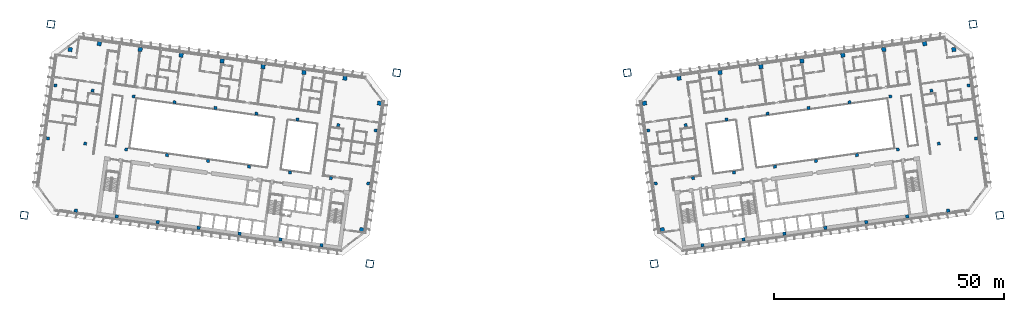
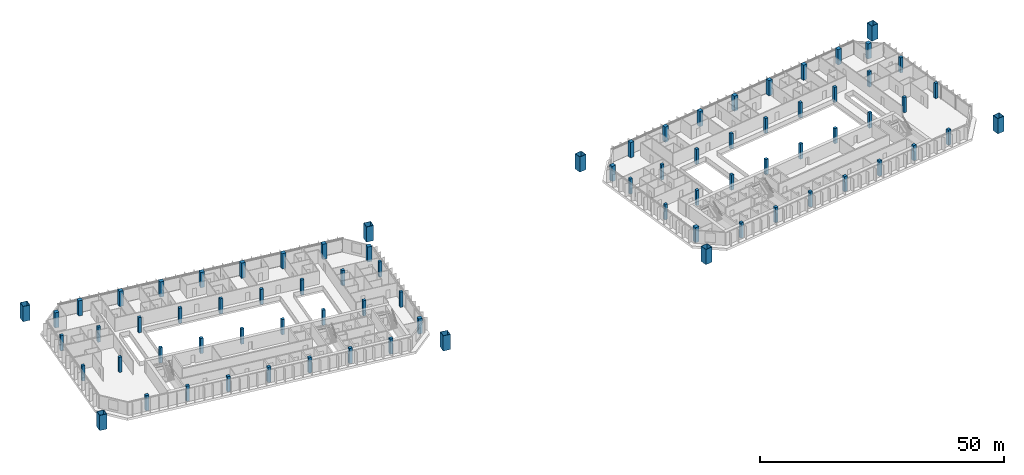
# One storey, part 1 of 27: 78 columns.
"""IFC4 building model written with IfcOpenShell, lengths in metres."""

import ifcopenshell
import ifcopenshell.guid

model = None  # the IFC model being written
_history = None  # IfcOwnerHistory: only IFC2X3 demands one
_inside = {}  # id of a spatial element -> (the spatial element, [elements in it])
_under = {}  # id of a project, library or spatial element -> (it, [spatial elements below it])
_declared = {}  # id of a project -> (the project, [libraries it declares])
_typed = {}  # id of a type object -> (the type object, [elements of that type])
_made_of = {}  # id of a material, layer set ... -> (it, [elements and type objects made of it])


def new_model(schema):
    """Start an empty IFC model of exactly this schema.

    Asked for "IFC4X3", IfcOpenShell would pick the latest addendum, in which some entities
    have other attributes; the version numbers below select the first issue.
    IFC2X3 requires an IfcOwnerHistory on every rooted entity: one is made here for all.
    """
    global model, _history
    if schema == "IFC4X3":
        model = ifcopenshell.file(schema_version=(4, 3, 0, 0))
    else:
        model = ifcopenshell.file(schema=schema)
    _inside.clear()
    _under.clear()
    _declared.clear()
    _typed.clear()
    _made_of.clear()
    _history = None
    if model.schema == "IFC2X3":
        org = make("IfcOrganization", Name="unknown")
        user = make(
            "IfcPersonAndOrganization",
            ThePerson=make("IfcPerson", FamilyName="unknown"),
            TheOrganization=org,
        )
        app = make(
            "IfcApplication",
            ApplicationDeveloper=org,
            Version="unknown",
            ApplicationFullName="unknown",
            ApplicationIdentifier="unknown",
        )
        _history = make(
            "IfcOwnerHistory",
            OwningUser=user,
            OwningApplication=app,
            ChangeAction="ADDED",
            CreationDate=0,
        )
    return model


def make(cls, **values):
    """One entity of the class cls with the attributes given. An attribute that is None is left unset."""
    return model.create_entity(
        cls, **{name: value for name, value in values.items() if value is not None}
    )


def rooted(cls, **values):
    """An entity with a GlobalId (a new one), such as an element, a storey or a relation."""
    return make(cls, GlobalId=ifcopenshell.guid.new(), OwnerHistory=_history, **values)


def si_unit(unit_type, name, prefix=None):
    """IfcSIUnit, for example si_unit("LENGTHUNIT", "METRE", prefix="MILLI")."""
    return make("IfcSIUnit", UnitType=unit_type, Prefix=prefix, Name=name)


def assignment(units):
    """IfcUnitAssignment: the units of a project."""
    return None if units is None else make("IfcUnitAssignment", Units=units)


def point(xyz):
    """IfcCartesianPoint."""
    return None if xyz is None else make("IfcCartesianPoint", Coordinates=xyz)


def direction(xyz):
    """IfcDirection."""
    return None if xyz is None else make("IfcDirection", DirectionRatios=xyz)


def frame(location, z_axis=None, x_axis=None):
    """IfcAxis2Placement3D, a coordinate frame: its origin and axes. An axis left out is left unset."""
    return make(
        "IfcAxis2Placement3D",
        Location=point(location),
        Axis=direction(z_axis),
        RefDirection=direction(x_axis),
    )


def frame_2d(location, x_axis=None):
    """IfcAxis2Placement2D, a coordinate frame in the plane: its origin and x axis."""
    return make(
        "IfcAxis2Placement2D", Location=point(location), RefDirection=direction(x_axis)
    )


def origin():
    """The frame at (0, 0, 0) with its axes left unset."""
    return frame((0.0, 0.0, 0.0))


def origin_2d():
    """The frame at (0, 0) in the plane with its x axis left unset."""
    return frame_2d((0.0, 0.0))


def place(relative_to, where):
    """IfcLocalPlacement: puts the frame where relative to a parent placement (None: the world)."""
    return make(
        "IfcLocalPlacement", PlacementRelTo=relative_to, RelativePlacement=where
    )


def context(
    kind, dimensions, precision=None, world=None, true_north=None, identifier=None
):
    """IfcGeometricRepresentationContext, for example the 3D "Model" context."""
    return make(
        "IfcGeometricRepresentationContext",
        ContextIdentifier=identifier,
        ContextType=kind,
        CoordinateSpaceDimension=dimensions,
        Precision=precision,
        WorldCoordinateSystem=world,
        TrueNorth=true_north,
    )


def subcontext(parent, identifier, kind, view, scale=None):
    """IfcGeometricRepresentationSubContext, for example "Body" below "Model"."""
    return make(
        "IfcGeometricRepresentationSubContext",
        ContextIdentifier=identifier,
        ContextType=kind,
        ParentContext=parent,
        TargetScale=scale,
        TargetView=view,
    )


def project(units=None, contexts=None):
    """IfcProject with its units and contexts."""
    return rooted(
        "IfcProject",
        Name="project",
        RepresentationContexts=contexts,
        UnitsInContext=assignment(units),
    )


def spatial(cls, under=None, at=None, **own):
    """A site, building, storey or space (cls), placed at a placement, below another one or the project."""
    s = rooted(cls, ObjectPlacement=at, **own)
    if under is not None:
        _under.setdefault(under.id(), (under, []))[1].append(s)
    return s


def profile(cls, at=None, kind="AREA", **sizes):
    """A parametric profile (cls). Its sizes go by their IFC names, for example OverallWidth=200.0."""
    return make(cls, ProfileType=kind, Position=at, **sizes)


def rectangle(**sizes):
    """IfcRectangleProfileDef."""
    return profile("IfcRectangleProfileDef", **sizes)


def hollow_rectangle(**sizes):
    """IfcRectangleHollowProfileDef."""
    return profile("IfcRectangleHollowProfileDef", **sizes)


def extrude(swept, where, along, depth):
    """IfcExtrudedAreaSolid: the profile swept, set in the frame where, extruded along a direction by depth."""
    return make(
        "IfcExtrudedAreaSolid",
        SweptArea=swept,
        Position=where,
        ExtrudedDirection=direction(along),
        Depth=depth,
    )


def shape(context_of_items, identifier, shape_type, items):
    """IfcShapeRepresentation: the items that make up one representation, for example the "Body"."""
    return make(
        "IfcShapeRepresentation",
        ContextOfItems=context_of_items,
        RepresentationIdentifier=identifier,
        RepresentationType=shape_type,
        Items=items,
    )


def material(Name=None, Category=None):
    """IfcMaterial."""
    return make("IfcMaterial", Name=Name, Category=Category)


def material_profile(
    of_material, cross_section, Name=None, Category=None, Priority=None
):
    """IfcMaterialProfile: a cross section and its material."""
    return make(
        "IfcMaterialProfile",
        Name=Name,
        Material=of_material,
        Profile=cross_section,
        Priority=Priority,
        Category=Category,
    )


def profile_set(profiles, Name=None, composite=None):
    """IfcMaterialProfileSet."""
    return make(
        "IfcMaterialProfileSet",
        Name=Name,
        MaterialProfiles=profiles,
        CompositeProfile=composite,
    )


def made_of(thing, what):
    """Note that an element or type object is made of a material, layer set ...; save() writes the relation."""
    if what is not None:
        _made_of.setdefault(what.id(), (what, []))[1].append(thing)
    return thing


def type_object(cls, material=None, **own):
    """A type object (cls), such as IfcWallType, which elements share."""
    return made_of(rooted(cls, **own), material)


def element(
    cls,
    number,
    at=None,
    inside=None,
    cuts=None,
    type_object=None,
    material=None,
    context=None,
    identifier="Body",
    shape_type=None,
    held_by="IfcProductDefinitionShape",
    body=None,
    shapes=None,
    **own,
):
    """One element of the class cls, such as IfcWall. Its Tag is "e" and its number.

    at: its placement. inside: the storey or other place that contains it. cuts: it is an
    opening in that element (IfcRelVoidsElement). A single representation is given by context,
    identifier, shape_type and body (its items); several are given by shapes. held_by: the class
    of the entity that holds the representations. save() writes the other relations.
    """
    e = rooted(cls, Tag="e%d" % number, ObjectPlacement=at, **own)
    if body is not None:
        shapes = [shape(context, identifier, shape_type, body)]
    if shapes is not None:
        e.Representation = make(held_by, Representations=shapes)
    if inside is not None:
        _inside.setdefault(inside.id(), (inside, []))[1].append(e)
    if cuts is not None:
        rooted(
            "IfcRelVoidsElement", RelatingBuildingElement=cuts, RelatedOpeningElement=e
        )
    if type_object is not None:
        _typed.setdefault(type_object.id(), (type_object, []))[1].append(e)
    return made_of(e, material)


def aggregate(whole, parts):
    """IfcRelAggregates: a whole, such as a stair, and the parts it consists of."""
    return rooted("IfcRelAggregates", RelatingObject=whole, RelatedObjects=parts)


def save(model, path):
    """Write the relations noted so far, then the file.

    IfcRelAggregates (storeys below a building ...), IfcRelContainedInSpatialStructure (elements
    in a storey), IfcRelDefinesByType, IfcRelAssociatesMaterial and IfcRelDeclares: one each for
    every whole, place, type object, material and project.
    """
    for whole, parts in _under.values():
        aggregate(whole, parts)
    for where, things in _inside.values():
        rooted(
            "IfcRelContainedInSpatialStructure",
            RelatedElements=things,
            RelatingStructure=where,
        )
    for kind, things in _typed.values():
        rooted("IfcRelDefinesByType", RelatedObjects=things, RelatingType=kind)
    for what, things in _made_of.values():
        rooted("IfcRelAssociatesMaterial", RelatedObjects=things, RelatingMaterial=what)
    for by, libraries in _declared.values():
        rooted("IfcRelDeclares", RelatingContext=by, RelatedDefinitions=libraries)
    model.write(path)


model = new_model("IFC4")

# Units and contexts
model_context = context("Model", 3, precision=1e-05, world=origin(), true_north=direction((0.0, 1.0)))
body_context = subcontext(model_context, "Body", "Model", "MODEL_VIEW")
ifc_project = project(units=[si_unit("LENGTHUNIT", "METRE"), si_unit("AREAUNIT", "SQUARE_METRE"), si_unit("VOLUMEUNIT", "CUBIC_METRE"), si_unit("PLANEANGLEUNIT", "RADIAN"), si_unit("MASSUNIT", "GRAM", prefix="KILO")], contexts=[model_context])

# Site, building, storey
site_placement = place(None, origin())
site = spatial("IfcSite", under=ifc_project, at=site_placement, CompositionType="ELEMENT")
building_placement = place(site_placement, origin())
building = spatial("IfcBuilding", under=site, at=building_placement, Name="Mirante Cascada Hotel Towers", CompositionType="ELEMENT")
storey_placement = place(building_placement, frame((0.0, 0.0, 117.7)))
storey = spatial("IfcBuildingStorey", under=building, at=storey_placement, Name="L26", CompositionType="ELEMENT", Elevation=117.7)

# Columns
ifc_material_1 = material(Name="Steel ASTM A572 Gr 50", Category="steel")
ifc_material_profile_1 = material_profile(ifc_material_1, hollow_rectangle(XDim=1.6, YDim=1.6, WallThickness=0.07, at=origin_2d()), Name="Box column 1600x1600x70 ASTM A572 Gr 50")
ifc_profile_set_1 = profile_set([ifc_material_profile_1], Name="Steel ASTM A572 Gr 50")
column_type_1 = type_object("IfcColumnType", Name="Box column 1600x1600x70 ASTM A572 Gr 50", PredefinedType="COLUMN", material=ifc_profile_set_1)
for number, where, z_axis, x_axis, name in (
    (1, (-25.0968, 18.5173, 0.0), (0.0, 0.0, 1.0), (-0.9902681, 0.1391731, 0.0), "Mega column MC1 T1 L26"),
    (2, (-30.9421, -23.074, 0.0), (0.0, 0.0, 1.0), (-0.9902681, 0.1391731, 0.0), "Mega column MC2 T1 L26"),
    (3, (-100.3572, 29.0944, 0.0), (0.0, 0.0, 1.0), (-0.9902681, 0.1391731, 0.0), "Mega column MC3 T1 L26"),
    (4, (-106.2025, -12.4968, 0.0), (0.0, 0.0, 1.0), (-0.9902681, 0.1391731, 0.0), "Mega column MC4 T1 L26"),
    (5, (25.0968, 18.5173, 0.0), (0.0, 0.0, 1.0), (0.9902681, 0.1391731, 0.0), "Mega column MC1 T2 L26"),
    (6, (30.9421, -23.074, 0.0), (0.0, 0.0, 1.0), (0.9902681, 0.1391731, 0.0), "Mega column MC2 T2 L26"),
    (7, (100.3572, 29.0944, 0.0), (0.0, 0.0, 1.0), (0.9902681, 0.1391731, 0.0), "Mega column MC3 T2 L26"),
    (8, (106.2025, -12.4968, 0.0), (0.0, 0.0, 1.0), (0.9902681, 0.1391731, 0.0), "Mega column MC4 T2 L26"),
):
    element("IfcColumn", number, at=place(storey_placement, frame(where, z_axis=z_axis, x_axis=x_axis)), inside=storey, type_object=column_type_1, Name=name, PredefinedType="COLUMN", context=body_context, shape_type="SweptSolid", body=[
        extrude(hollow_rectangle(XDim=1.6, YDim=1.6, WallThickness=0.07, at=origin_2d()), origin(), (0.0, 0.0, 1.0), 3.8),
    ])
ifc_material_2 = material(Name="Concrete C60/75", Category="concrete")
ifc_material_profile_2 = material_profile(ifc_material_2, rectangle(XDim=0.65, YDim=0.65, at=origin_2d()), Name="RC column 650x650 C60/75")
ifc_profile_set_2 = profile_set([ifc_material_profile_2], Name="Concrete C60/75")
column_type_2 = type_object("IfcColumnType", Name="RC column 650x650 C60/75", PredefinedType="COLUMN", material=ifc_profile_set_2)
for number, where, z_axis, x_axis, name in (
    (9, (-29.6893, 5.9592, 0.0), (0.0, 0.0, 1.0), (-0.9902681, 0.1391731, 0.0), "Column T1 L26 2"),
    (10, (-31.3106, -5.5774, 0.0), (0.0, 0.0, 1.0), (-0.9902681, 0.1391731, 0.0), "Column T1 L26 3"),
    (11, (-37.8095, 7.1004, 0.0), (0.0, 0.0, 1.0), (-0.9902681, 0.1391731, 0.0), "Column T1 L26 6"),
    (12, (-39.4308, -4.4362, 0.0), (0.0, 0.0, 1.0), (-0.9902681, 0.1391731, 0.0), "Column T1 L26 7"),
    (13, (-46.7219, 8.353, 0.0), (0.0, 0.0, 1.0), (-0.9902681, 0.1391731, 0.0), "Column T1 L26 10"),
    (14, (-48.3432, -3.1836, 0.0), (0.0, 0.0, 1.0), (-0.9902681, 0.1391731, 0.0), "Column T1 L26 11"),
    (15, (-55.6343, 9.6055, 0.0), (0.0, 0.0, 1.0), (-0.9902681, 0.1391731, 0.0), "Column T1 L26 14"),
    (16, (-57.2557, -1.9311, 0.0), (0.0, 0.0, 1.0), (-0.9902681, 0.1391731, 0.0), "Column T1 L26 15"),
    (17, (-64.5467, 10.8581, 0.0), (0.0, 0.0, 1.0), (-0.9902681, 0.1391731, 0.0), "Column T1 L26 18"),
    (18, (-66.1681, -0.6785, 0.0), (0.0, 0.0, 1.0), (-0.9902681, 0.1391731, 0.0), "Column T1 L26 19"),
    (19, (-73.4591, 12.1107, 0.0), (0.0, 0.0, 1.0), (-0.9902681, 0.1391731, 0.0), "Column T1 L26 22"),
    (20, (-75.0805, 0.574, 0.0), (0.0, 0.0, 1.0), (-0.9902681, 0.1391731, 0.0), "Column T1 L26 23"),
    (21, (-82.3715, 13.3632, 0.0), (0.0, 0.0, 1.0), (-0.9902681, 0.1391731, 0.0), "Column T1 L26 26"),
    (22, (-83.9929, 1.8266, 0.0), (0.0, 0.0, 1.0), (-0.9902681, 0.1391731, 0.0), "Column T1 L26 27"),
    (23, (-91.2839, 14.6158, 0.0), (0.0, 0.0, 1.0), (-0.9902681, 0.1391731, 0.0), "Column T1 L26 30"),
    (24, (-92.9053, 3.0792, 0.0), (0.0, 0.0, 1.0), (-0.9902681, 0.1391731, 0.0), "Column T1 L26 31"),
    (25, (-99.4041, 15.757, 0.0), (0.0, 0.0, 1.0), (-0.9902681, 0.1391731, 0.0), "Column T1 L26 34"),
    (26, (-101.0255, 4.2204, 0.0), (0.0, 0.0, 1.0), (-0.9902681, 0.1391731, 0.0), "Column T1 L26 35"),
    (27, (29.6893, 5.9592, 0.0), (0.0, 0.0, 1.0), (0.9902681, 0.1391731, 0.0), "Column T2 L26 2"),
    (28, (31.3106, -5.5774, 0.0), (0.0, 0.0, 1.0), (0.9902681, 0.1391731, 0.0), "Column T2 L26 3"),
    (29, (37.8095, 7.1004, 0.0), (0.0, 0.0, 1.0), (0.9902681, 0.1391731, 0.0), "Column T2 L26 6"),
    (30, (39.4308, -4.4362, 0.0), (0.0, 0.0, 1.0), (0.9902681, 0.1391731, 0.0), "Column T2 L26 7"),
    (31, (46.7219, 8.353, 0.0), (0.0, 0.0, 1.0), (0.9902681, 0.1391731, 0.0), "Column T2 L26 10"),
    (32, (48.3432, -3.1836, 0.0), (0.0, 0.0, 1.0), (0.9902681, 0.1391731, 0.0), "Column T2 L26 11"),
    (33, (55.6343, 9.6055, 0.0), (0.0, 0.0, 1.0), (0.9902681, 0.1391731, 0.0), "Column T2 L26 14"),
    (34, (57.2557, -1.9311, 0.0), (0.0, 0.0, 1.0), (0.9902681, 0.1391731, 0.0), "Column T2 L26 15"),
    (35, (64.5467, 10.8581, 0.0), (0.0, 0.0, 1.0), (0.9902681, 0.1391731, 0.0), "Column T2 L26 18"),
    (36, (66.1681, -0.6785, 0.0), (0.0, 0.0, 1.0), (0.9902681, 0.1391731, 0.0), "Column T2 L26 19"),
    (37, (73.4591, 12.1107, 0.0), (0.0, 0.0, 1.0), (0.9902681, 0.1391731, 0.0), "Column T2 L26 22"),
    (38, (75.0805, 0.574, 0.0), (0.0, 0.0, 1.0), (0.9902681, 0.1391731, 0.0), "Column T2 L26 23"),
    (39, (82.3715, 13.3632, 0.0), (0.0, 0.0, 1.0), (0.9902681, 0.1391731, 0.0), "Column T2 L26 26"),
    (40, (83.9929, 1.8266, 0.0), (0.0, 0.0, 1.0), (0.9902681, 0.1391731, 0.0), "Column T2 L26 27"),
    (41, (91.2839, 14.6158, 0.0), (0.0, 0.0, 1.0), (0.9902681, 0.1391731, 0.0), "Column T2 L26 30"),
    (42, (92.9053, 3.0792, 0.0), (0.0, 0.0, 1.0), (0.9902681, 0.1391731, 0.0), "Column T2 L26 31"),
    (43, (99.4041, 15.757, 0.0), (0.0, 0.0, 1.0), (0.9902681, 0.1391731, 0.0), "Column T2 L26 34"),
    (44, (101.0255, 4.2204, 0.0), (0.0, 0.0, 1.0), (0.9902681, 0.1391731, 0.0), "Column T2 L26 35"),
):
    element("IfcColumn", number, at=place(storey_placement, frame(where, z_axis=z_axis, x_axis=x_axis)), inside=storey, type_object=column_type_2, Name=name, PredefinedType="COLUMN", context=body_context, shape_type="SweptSolid", body=[
        extrude(rectangle(XDim=0.65, YDim=0.65, at=origin_2d()), origin(), (0.0, 0.0, 1.0), 3.8),
    ])
ifc_material_3 = material(Name="Concrete C60/75", Category="concrete")
ifc_material_profile_3 = material_profile(ifc_material_3, rectangle(XDim=0.7, YDim=0.7, at=origin_2d()), Name="RC column 700x700 C60/75")
ifc_profile_set_3 = profile_set([ifc_material_profile_3], Name="Concrete C60/75")
column_type_3 = type_object("IfcColumnType", Name="RC column 700x700 C60/75", PredefinedType="COLUMN", material=ifc_profile_set_3)
for number, where, z_axis, x_axis, name in (
    (45, (-41.4802, -19.0179, 0.0), (0.0, 0.0, 1.0), (-0.9902681, 0.1391731, 0.0), "Column T1 L26 8"),
    (46, (-50.3926, -17.7653, 0.0), (0.0, 0.0, 1.0), (-0.9902681, 0.1391731, 0.0), "Column T1 L26 12"),
    (47, (-59.305, -16.5128, 0.0), (0.0, 0.0, 1.0), (-0.9902681, 0.1391731, 0.0), "Column T1 L26 16"),
    (48, (-68.2174, -15.2602, 0.0), (0.0, 0.0, 1.0), (-0.9902681, 0.1391731, 0.0), "Column T1 L26 20"),
    (49, (-77.1298, -14.0077, 0.0), (0.0, 0.0, 1.0), (-0.9902681, 0.1391731, 0.0), "Column T1 L26 24"),
    (50, (-86.0422, -12.7551, 0.0), (0.0, 0.0, 1.0), (-0.9902681, 0.1391731, 0.0), "Column T1 L26 28"),
    (51, (-94.9546, -11.5025, 0.0), (0.0, 0.0, 1.0), (-0.9902681, 0.1391731, 0.0), "Column T1 L26 32"),
    (52, (41.4802, -19.0179, 0.0), (0.0, 0.0, 1.0), (0.9902681, 0.1391731, 0.0), "Column T2 L26 8"),
    (53, (50.3926, -17.7653, 0.0), (0.0, 0.0, 1.0), (0.9902681, 0.1391731, 0.0), "Column T2 L26 12"),
    (54, (59.305, -16.5128, 0.0), (0.0, 0.0, 1.0), (0.9902681, 0.1391731, 0.0), "Column T2 L26 16"),
    (55, (68.2174, -15.2602, 0.0), (0.0, 0.0, 1.0), (0.9902681, 0.1391731, 0.0), "Column T2 L26 20"),
    (56, (77.1298, -14.0077, 0.0), (0.0, 0.0, 1.0), (0.9902681, 0.1391731, 0.0), "Column T2 L26 24"),
    (57, (86.0422, -12.7551, 0.0), (0.0, 0.0, 1.0), (0.9902681, 0.1391731, 0.0), "Column T2 L26 28"),
    (58, (94.9546, -11.5025, 0.0), (0.0, 0.0, 1.0), (0.9902681, 0.1391731, 0.0), "Column T2 L26 32"),
):
    element("IfcColumn", number, at=place(storey_placement, frame(where, z_axis=z_axis, x_axis=x_axis)), inside=storey, type_object=column_type_3, Name=name, PredefinedType="COLUMN", context=body_context, shape_type="SweptSolid", body=[
        extrude(rectangle(XDim=0.7, YDim=0.7, at=origin_2d()), origin(), (0.0, 0.0, 1.0), 3.8),
    ])
ifc_material_4 = material(Name="Concrete C60/75", Category="concrete")
ifc_material_profile_4 = material_profile(ifc_material_4, rectangle(XDim=0.9, YDim=0.9, at=origin_2d()), Name="RC column 900x900 C60/75")
ifc_profile_set_4 = profile_set([ifc_material_profile_4], Name="Concrete C60/75")
column_type_4 = type_object("IfcColumnType", Name="RC column 900x900 C60/75", PredefinedType="COLUMN", material=ifc_profile_set_4)
for number, where, z_axis, x_axis, name in (
    (59, (-28.8577, 11.8761, 0.0), (0.0, 0.0, 1.0), (-0.9902681, 0.1391731, 0.0), "Column T1 L26 1"),
    (60, (-32.7267, -15.6534, 0.0), (0.0, 0.0, 1.0), (-0.9902681, 0.1391731, 0.0), "Column T1 L26 4"),
    (61, (-36.3725, 17.325, 0.0), (0.0, 0.0, 1.0), (-0.9902681, 0.1391731, 0.0), "Column T1 L26 5"),
    (62, (-45.2849, 18.5775, 0.0), (0.0, 0.0, 1.0), (-0.9902681, 0.1391731, 0.0), "Column T1 L26 9"),
    (63, (-54.1973, 19.8301, 0.0), (0.0, 0.0, 1.0), (-0.9902681, 0.1391731, 0.0), "Column T1 L26 13"),
    (64, (-63.1097, 21.0826, 0.0), (0.0, 0.0, 1.0), (-0.9902681, 0.1391731, 0.0), "Column T1 L26 17"),
    (65, (-72.0222, 22.3352, 0.0), (0.0, 0.0, 1.0), (-0.9902681, 0.1391731, 0.0), "Column T1 L26 21"),
    (66, (-80.9346, 23.5877, 0.0), (0.0, 0.0, 1.0), (-0.9902681, 0.1391731, 0.0), "Column T1 L26 25"),
    (67, (-89.847, 24.8403, 0.0), (0.0, 0.0, 1.0), (-0.9902681, 0.1391731, 0.0), "Column T1 L26 29"),
    (68, (-96.1868, 23.5602, 0.0), (0.0, 0.0, 1.0), (-0.9902681, 0.1391731, 0.0), "Column T1 L26 33"),
    (69, (28.8577, 11.8761, 0.0), (0.0, 0.0, 1.0), (0.9902681, 0.1391731, 0.0), "Column T2 L26 1"),
    (70, (32.7267, -15.6534, 0.0), (0.0, 0.0, 1.0), (0.9902681, 0.1391731, 0.0), "Column T2 L26 4"),
    (71, (36.3725, 17.325, 0.0), (0.0, 0.0, 1.0), (0.9902681, 0.1391731, 0.0), "Column T2 L26 5"),
    (72, (45.2849, 18.5775, 0.0), (0.0, 0.0, 1.0), (0.9902681, 0.1391731, 0.0), "Column T2 L26 9"),
    (73, (54.1973, 19.8301, 0.0), (0.0, 0.0, 1.0), (0.9902681, 0.1391731, 0.0), "Column T2 L26 13"),
    (74, (63.1097, 21.0826, 0.0), (0.0, 0.0, 1.0), (0.9902681, 0.1391731, 0.0), "Column T2 L26 17"),
    (75, (72.0222, 22.3352, 0.0), (0.0, 0.0, 1.0), (0.9902681, 0.1391731, 0.0), "Column T2 L26 21"),
    (76, (80.9346, 23.5877, 0.0), (0.0, 0.0, 1.0), (0.9902681, 0.1391731, 0.0), "Column T2 L26 25"),
    (77, (89.847, 24.8403, 0.0), (0.0, 0.0, 1.0), (0.9902681, 0.1391731, 0.0), "Column T2 L26 29"),
    (78, (96.1868, 23.5602, 0.0), (0.0, 0.0, 1.0), (0.9902681, 0.1391731, 0.0), "Column T2 L26 33"),
):
    element("IfcColumn", number, at=place(storey_placement, frame(where, z_axis=z_axis, x_axis=x_axis)), inside=storey, type_object=column_type_4, Name=name, PredefinedType="COLUMN", context=body_context, shape_type="SweptSolid", body=[
        extrude(rectangle(XDim=0.9, YDim=0.9, at=origin_2d()), origin(), (0.0, 0.0, 1.0), 3.8),
    ])

save(model, "model.ifc")
